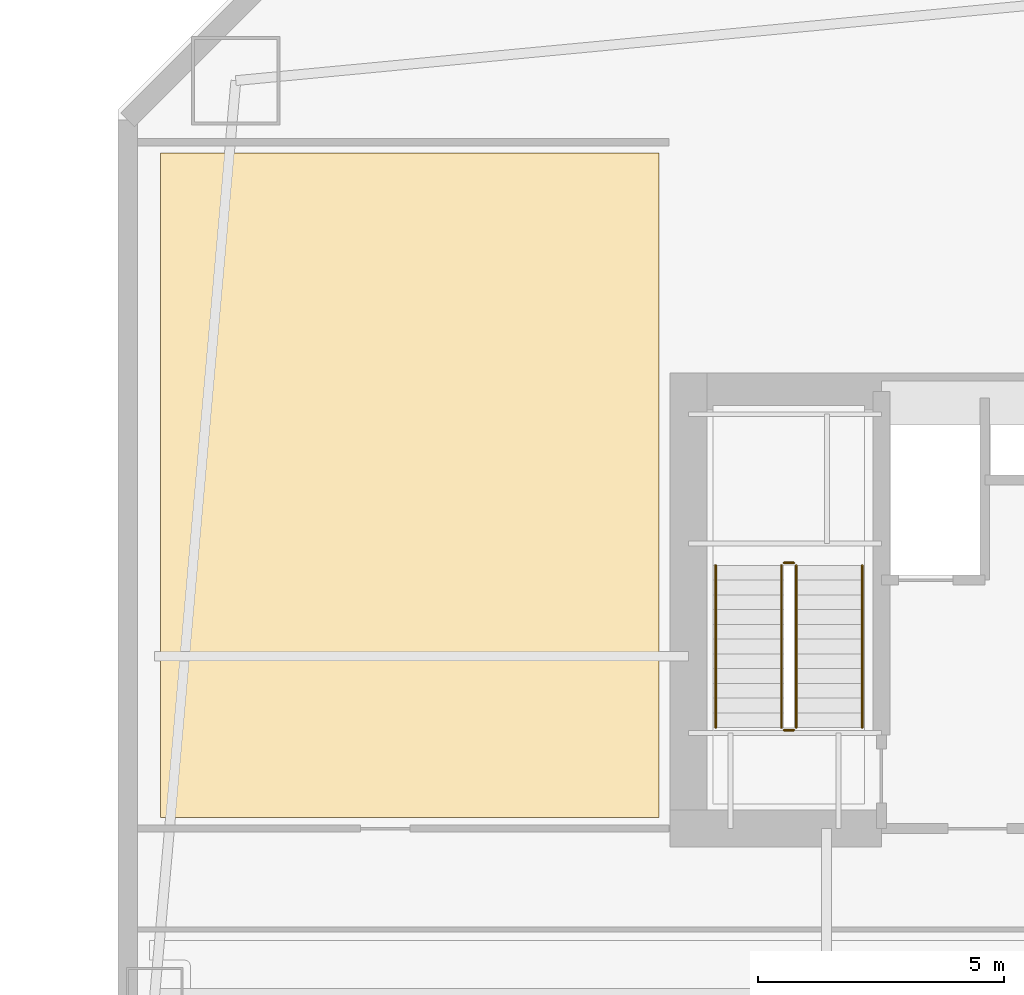
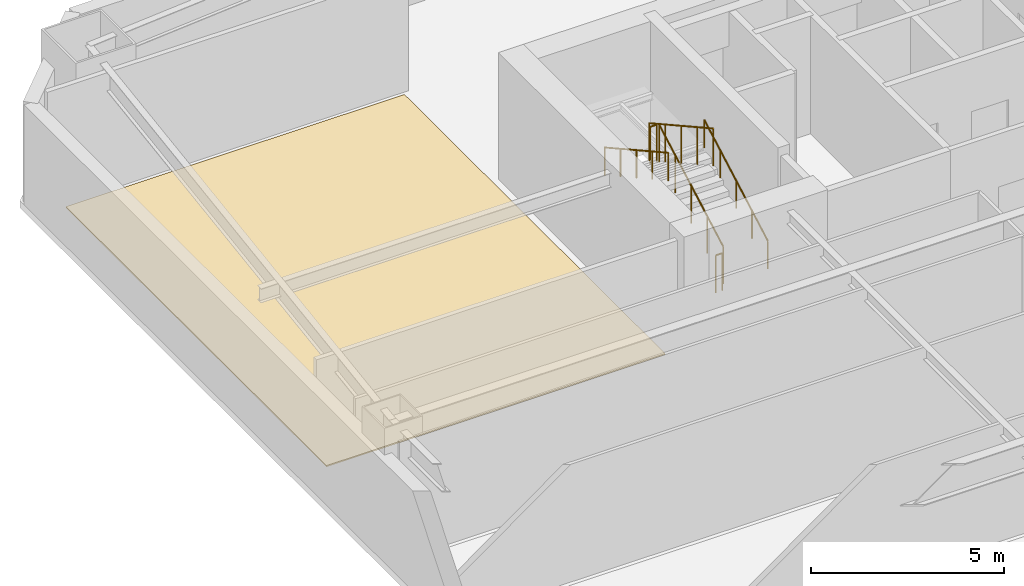
# One storey, part 13 of 18: 6 railings, 1 covering.
"""IFC4 building model written with IfcOpenShell, lengths in metres."""

from ifc_helpers import new_model, si_unit, direction, frame, origin, origin_2d, place, context, subcontext, project, spatial, polyline, circle, outline, extrude, material, layer, layer_set, type_object, element, save


model = new_model("IFC4")

# Units and contexts
model_context = context("Model", 3, precision=1e-05, world=origin(), true_north=direction((0.0, 1.0)))
body_context = subcontext(model_context, "Body", "Model", "MODEL_VIEW")
ifc_project = project(units=[si_unit("LENGTHUNIT", "METRE"), si_unit("AREAUNIT", "SQUARE_METRE"), si_unit("VOLUMEUNIT", "CUBIC_METRE"), si_unit("PLANEANGLEUNIT", "RADIAN"), si_unit("MASSUNIT", "GRAM", prefix="KILO")], contexts=[model_context])

# Site, building, storey
site_placement = place(None, origin())
site = spatial("IfcSite", under=ifc_project, at=site_placement, CompositionType="ELEMENT")
building_placement = place(site_placement, origin())
building = spatial("IfcBuilding", under=site, at=building_placement, Name="Qiaolan Cultural Towers", CompositionType="ELEMENT")
storey_placement = place(building_placement, frame((0.0, 0.0, 38.0)))
storey = spatial("IfcBuildingStorey", under=building, at=storey_placement, Name="L08", CompositionType="ELEMENT", Elevation=38.0)

# Covering
ifc_material_1 = material(Name="Honed Terrazzo & Raised Access Flooring", Category="concrete")
ifc_layer = layer(ifc_material_1, 0.0400390625)
ifc_layer_set = layer_set([ifc_layer], Name="Honed Terrazzo & Raised Access Flooring")
covering_type = type_object("IfcCoveringType", Name="COV-FLR-STONE", PredefinedType="FLOORING", material=ifc_layer_set)
covering_placement = place(storey_placement, origin())
element("IfcCovering", 1, at=covering_placement, inside=storey, type_object=covering_type, Name="L08 Corner Curatorial Research Office Finish Flooring", PredefinedType="FLOORING", context=body_context, shape_type="SweptSolid", body=[
    extrude(outline(polyline([(21.199951171875, 46.6201171875), (21.199951171875, 60.1298828125), (11.070068359375, 60.1298828125), (11.070068359375, 46.6201171875), (21.199951171875, 46.6201171875)])), origin(), (0.0, 0.0, 1.0), 0.0400390625),
])

# Railings
ifc_material_2 = material(Name="Galvanized Painted Steel Stair Guardrail", Category="steel")
railing_type_1 = type_object("IfcRailingType", Name="RL-STAIR-GRD", PredefinedType="GUARDRAIL", material=ifc_material_2)
railing_1_placement = place(storey_placement, frame((23.989990234375, 48.449951171875, 0.166748046875)))
element("IfcRailing", 2, at=railing_1_placement, inside=storey, type_object=railing_type_1, Name="L08 ST-W2 stair guard 1", PredefinedType="GUARDRAIL", context=body_context, shape_type="SweptSolid", body=[
    extrude(circle(Radius=0.02392578125, at=origin_2d()), frame((0.0, 0.0, 1.17578125), z_axis=(0.0, 0.874169478083, 0.485620966999), x_axis=(-1.0, 0.0, 0.0)), (0.0, 0.0, 1.0), 3.775146484375),
    extrude(circle(Radius=0.02099609375, at=origin_2d()), origin(), (0.0, 0.0, 1.0), 1.15185546875),
    extrude(circle(Radius=0.02099609375, at=origin_2d()), frame((0.0, 0.824951171875, 0.458251953125)), (0.0, 0.0, 1.0), 1.15185546875),
    extrude(circle(Radius=0.02099609375, at=origin_2d()), frame((0.0, 1.64990234375, 0.91650390625)), (0.0, 0.0, 1.0), 1.15185546875),
    extrude(circle(Radius=0.02099609375, at=origin_2d()), frame((0.0, 2.47509765625, 1.375)), (0.0, 0.0, 1.0), 1.15185546875),
    extrude(circle(Radius=0.02099609375, at=origin_2d()), frame((0.0, 3.300048828125, 1.833251953125)), (0.0, 0.0, 1.0), 1.15185546875),
])
railing_2_placement = place(storey_placement, frame((23.93994140625, 51.800048828125, 2.0)))
element("IfcRailing", 3, at=railing_2_placement, inside=storey, type_object=railing_type_1, Name="L08 ST-W2 stair guard 2", PredefinedType="GUARDRAIL", context=body_context, shape_type="SweptSolid", body=[
    extrude(circle(Radius=0.02392578125, at=origin_2d()), frame((0.0, 0.0, 1.17578125), z_axis=(-1.0, 0.0, 0.0), x_axis=(0.0, -1.0, 0.0)), (0.0, 0.0, 1.0), 0.199951171875),
    extrude(circle(Radius=0.02099609375, at=origin_2d()), origin(), (0.0, 0.0, 1.0), 1.15185546875),
    extrude(circle(Radius=0.02099609375, at=origin_2d()), frame((-0.199951171875, 0.0, 0.0)), (0.0, 0.0, 1.0), 1.15185546875),
])
railing_3_placement = place(storey_placement, frame((23.68994140625, 51.75, 2.166748046875)))
element("IfcRailing", 4, at=railing_3_placement, inside=storey, type_object=railing_type_1, Name="L08 ST-W2 stair guard 3", PredefinedType="GUARDRAIL", context=body_context, shape_type="SweptSolid", body=[
    extrude(circle(Radius=0.02392578125, at=origin_2d()), frame((0.0, 0.0, 1.17578125), z_axis=(0.0, -0.874169478083, 0.485620966999), x_axis=(1.0, 0.0, 0.0)), (0.0, 0.0, 1.0), 3.775146484375),
    extrude(circle(Radius=0.02099609375, at=origin_2d()), origin(), (0.0, 0.0, 1.0), 1.15185546875),
    extrude(circle(Radius=0.02099609375, at=origin_2d()), frame((0.0, -0.824951171875, 0.458251953125)), (0.0, 0.0, 1.0), 1.15185546875),
    extrude(circle(Radius=0.02099609375, at=origin_2d()), frame((0.0, -1.64990234375, 0.91650390625)), (0.0, 0.0, 1.0), 1.15185546875),
    extrude(circle(Radius=0.02099609375, at=origin_2d()), frame((0.0, -2.47509765625, 1.375)), (0.0, 0.0, 1.0), 1.15185546875),
    extrude(circle(Radius=0.02099609375, at=origin_2d()), frame((0.0, -3.300048828125, 1.833251953125)), (0.0, 0.0, 1.0), 1.15185546875),
])
railing_4_placement = place(storey_placement, frame((23.93994140625, 48.39990234375, 0.0)))
element("IfcRailing", 5, at=railing_4_placement, inside=storey, type_object=railing_type_1, Name="L08 ST-W2 stair guard 4", PredefinedType="GUARDRAIL", context=body_context, shape_type="SweptSolid", body=[
    extrude(circle(Radius=0.02392578125, at=origin_2d()), frame((0.0, 0.0, 1.17578125), z_axis=(-1.0, 0.0, 0.0), x_axis=(0.0, -1.0, 0.0)), (0.0, 0.0, 1.0), 0.199951171875),
    extrude(circle(Radius=0.02099609375, at=origin_2d()), origin(), (0.0, 0.0, 1.0), 1.15185546875),
    extrude(circle(Radius=0.02099609375, at=origin_2d()), frame((-0.199951171875, 0.0, 0.0)), (0.0, 0.0, 1.0), 1.15185546875),
])
ifc_material_3 = material(Name="Stainless Steel S30408 Tubular Handrail", Category="steel")
railing_type_2 = type_object("IfcRailingType", Name="RL-STAIR-HR", PredefinedType="HANDRAIL", material=ifc_material_3)
railing_5_placement = place(storey_placement, frame((25.330078125, 48.449951171875, 0.166748046875)))
element("IfcRailing", 6, at=railing_5_placement, inside=storey, type_object=railing_type_2, Name="L08 ST-W2 stair handrail 1", PredefinedType="HANDRAIL", context=body_context, shape_type="SweptSolid", body=[
    extrude(circle(Radius=0.02392578125, at=origin_2d()), frame((0.0, 0.0, 0.8759765625), z_axis=(0.0, 0.874169478083, 0.485620966999), x_axis=(-1.0, 0.0, 0.0)), (0.0, 0.0, 1.0), 3.775146484375),
    extrude(circle(Radius=0.02099609375, at=origin_2d()), origin(), (0.0, 0.0, 1.0), 0.851806640625),
    extrude(circle(Radius=0.02099609375, at=origin_2d()), frame((0.0, 0.824951171875, 0.458251953125)), (0.0, 0.0, 1.0), 0.851806640625),
    extrude(circle(Radius=0.02099609375, at=origin_2d()), frame((0.0, 1.64990234375, 0.91650390625)), (0.0, 0.0, 1.0), 0.851806640625),
    extrude(circle(Radius=0.02099609375, at=origin_2d()), frame((0.0, 2.47509765625, 1.375)), (0.0, 0.0, 1.0), 0.851806640625),
    extrude(circle(Radius=0.02099609375, at=origin_2d()), frame((0.0, 3.300048828125, 1.833251953125)), (0.0, 0.0, 1.0), 0.851806640625),
])
railing_6_placement = place(storey_placement, frame((22.35009765625, 51.75, 2.166748046875)))
element("IfcRailing", 7, at=railing_6_placement, inside=storey, type_object=railing_type_2, Name="L08 ST-W2 stair handrail 2", PredefinedType="HANDRAIL", context=body_context, shape_type="SweptSolid", body=[
    extrude(circle(Radius=0.02392578125, at=origin_2d()), frame((0.0, 0.0, 0.8759765625), z_axis=(0.0, -0.874169478083, 0.485620966999), x_axis=(1.0, 0.0, 0.0)), (0.0, 0.0, 1.0), 3.775146484375),
    extrude(circle(Radius=0.02099609375, at=origin_2d()), origin(), (0.0, 0.0, 1.0), 0.851806640625),
    extrude(circle(Radius=0.02099609375, at=origin_2d()), frame((0.0, -0.824951171875, 0.458251953125)), (0.0, 0.0, 1.0), 0.851806640625),
    extrude(circle(Radius=0.02099609375, at=origin_2d()), frame((0.0, -1.64990234375, 0.91650390625)), (0.0, 0.0, 1.0), 0.851806640625),
    extrude(circle(Radius=0.02099609375, at=origin_2d()), frame((0.0, -2.47509765625, 1.375)), (0.0, 0.0, 1.0), 0.851806640625),
    extrude(circle(Radius=0.02099609375, at=origin_2d()), frame((0.0, -3.300048828125, 1.833251953125)), (0.0, 0.0, 1.0), 0.851806640625),
])

save(model, "model.ifc")
